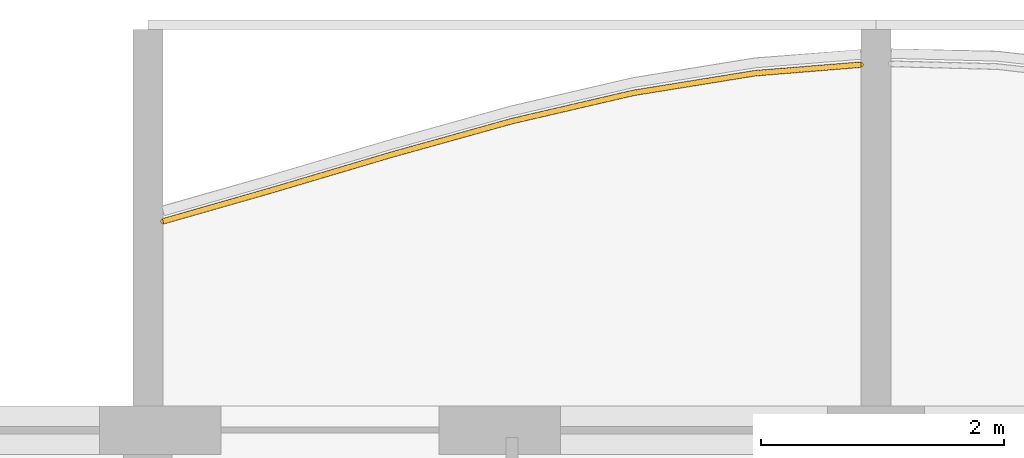
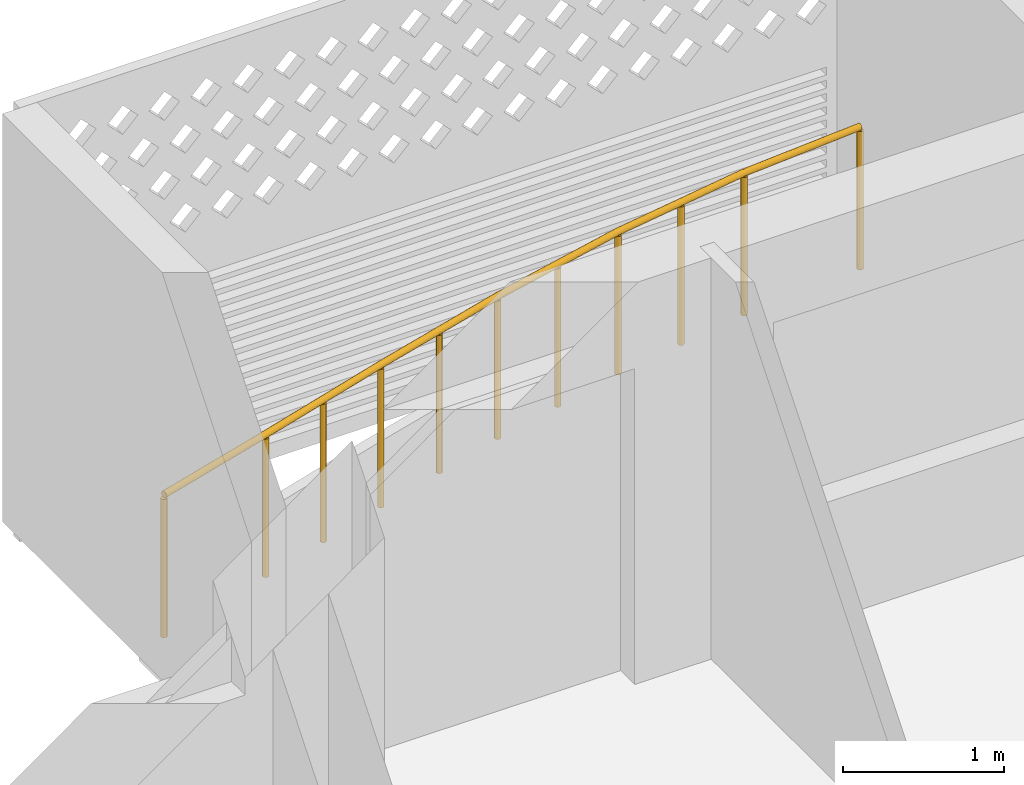
# One storey, part 26 of 44: 1 railing.
"""IFC4 building model written with IfcOpenShell, lengths in metres."""

from ifc_helpers import new_model, si_unit, direction, frame, origin, origin_2d, place, context, subcontext, project, spatial, circle, extrude, material, type_object, element, save


model = new_model("IFC4")

# Units and contexts
model_context = context("Model", 3, precision=1e-05, world=origin(), true_north=direction((0.0, 1.0)))
body_context = subcontext(model_context, "Body", "Model", "MODEL_VIEW")
ifc_project = project(units=[si_unit("LENGTHUNIT", "METRE"), si_unit("AREAUNIT", "SQUARE_METRE"), si_unit("VOLUMEUNIT", "CUBIC_METRE"), si_unit("PLANEANGLEUNIT", "RADIAN"), si_unit("MASSUNIT", "GRAM", prefix="KILO")], contexts=[model_context])

# Site, building, storey
site_placement = place(None, origin())
site = spatial("IfcSite", under=ifc_project, at=site_placement, CompositionType="ELEMENT")
building_placement = place(site_placement, origin())
building = spatial("IfcBuilding", under=site, at=building_placement, Name="Poui Terraces", CompositionType="ELEMENT")
storey_placement = place(building_placement, frame((0.0, 0.0, 30.0)))
storey = spatial("IfcBuildingStorey", under=building, at=storey_placement, Name="L07", CompositionType="ELEMENT", Elevation=30.0)

# Railing
ifc_material = material(Name="Painted steel fretwork", Category="steel")
railing_type = type_object("IfcRailingType", Name="BALCONY GUARD 1100", PredefinedType="GUARDRAIL", material=ifc_material)
railing_placement = place(storey_placement, frame((30.125, 46.52099609375, 0.0)))
element("IfcRailing", 1, at=railing_placement, inside=storey, type_object=railing_type, Name="BALCONY GUARD", PredefinedType="GUARDRAIL", context=body_context, shape_type="SweptSolid", body=[
    extrude(circle(Radius=0.02392578125, at=origin_2d()), frame((0.0, 0.0, 1.076171875), z_axis=(0.961453053843, 0.274969135097, 0.0), x_axis=(-0.274969135097, 0.961453053843, 0.0)), (0.0, 0.0, 1.0), 0.91015625),
    extrude(circle(Radius=0.02392578125, at=origin_2d()), frame((0.875, 0.250244140625, 1.076171875), z_axis=(0.958710700624, 0.284383179018, 0.0), x_axis=(-0.284383179018, 0.958710700624, 0.0)), (0.0, 0.0, 1.0), 1.04296875),
    extrude(circle(Radius=0.02392578125, at=origin_2d()), frame((1.875, 0.546875, 1.076171875), z_axis=(0.963261408291, 0.268565558659, 0.0), x_axis=(-0.268565558659, 0.963261408291, 0.0)), (0.0, 0.0, 1.0), 1.0380859375),
    extrude(circle(Radius=0.02392578125, at=origin_2d()), frame((2.875, 0.82568359375, 1.076171875), z_axis=(0.974037301865, 0.226387576019, 0.0), x_axis=(-0.226387576019, 0.974037301865, 0.0)), (0.0, 0.0, 1.0), 1.026611328125),
    extrude(circle(Radius=0.02392578125, at=origin_2d()), frame((3.875, 1.05810546875, 1.076171875), z_axis=(0.987151750337, 0.159785549432, 0.0), x_axis=(-0.159785549432, 0.987151750337, 0.0)), (0.0, 0.0, 1.0), 1.012939453125),
    extrude(circle(Radius=0.02392578125, at=origin_2d()), frame((4.875, 1.219970703125, 1.076171875), z_axis=(0.996742354742, 0.080651585624, 0.0), x_axis=(-0.080651585624, 0.996742354742, 0.0)), (0.0, 0.0, 1.0), 0.8779296875),
    extrude(circle(Radius=0.02099609375, at=origin_2d()), origin(), (0.0, 0.0, 1.0), 1.052001953125),
    extrude(circle(Radius=0.02099609375, at=origin_2d()), frame((0.875, 0.250244140625, 0.0)), (0.0, 0.0, 1.0), 1.052001953125),
    extrude(circle(Radius=0.02099609375, at=origin_2d()), frame((1.375, 0.3984375, 0.0)), (0.0, 0.0, 1.0), 1.052001953125),
    extrude(circle(Radius=0.02099609375, at=origin_2d()), frame((1.875, 0.546875, 0.0)), (0.0, 0.0, 1.0), 1.052001953125),
    extrude(circle(Radius=0.02099609375, at=origin_2d()), frame((2.375, 0.686279296875, 0.0)), (0.0, 0.0, 1.0), 1.052001953125),
    extrude(circle(Radius=0.02099609375, at=origin_2d()), frame((2.875, 0.82568359375, 0.0)), (0.0, 0.0, 1.0), 1.052001953125),
    extrude(circle(Radius=0.02099609375, at=origin_2d()), frame((3.375, 0.94189453125, 0.0)), (0.0, 0.0, 1.0), 1.052001953125),
    extrude(circle(Radius=0.02099609375, at=origin_2d()), frame((3.875, 1.05810546875, 0.0)), (0.0, 0.0, 1.0), 1.052001953125),
    extrude(circle(Radius=0.02099609375, at=origin_2d()), frame((4.375, 1.13916015625, 0.0)), (0.0, 0.0, 1.0), 1.052001953125),
    extrude(circle(Radius=0.02099609375, at=origin_2d()), frame((4.875, 1.219970703125, 0.0)), (0.0, 0.0, 1.0), 1.052001953125),
    extrude(circle(Radius=0.02099609375, at=origin_2d()), frame((5.75, 1.290771484375, 0.0)), (0.0, 0.0, 1.0), 1.052001953125),
])

save(model, "model.ifc")
